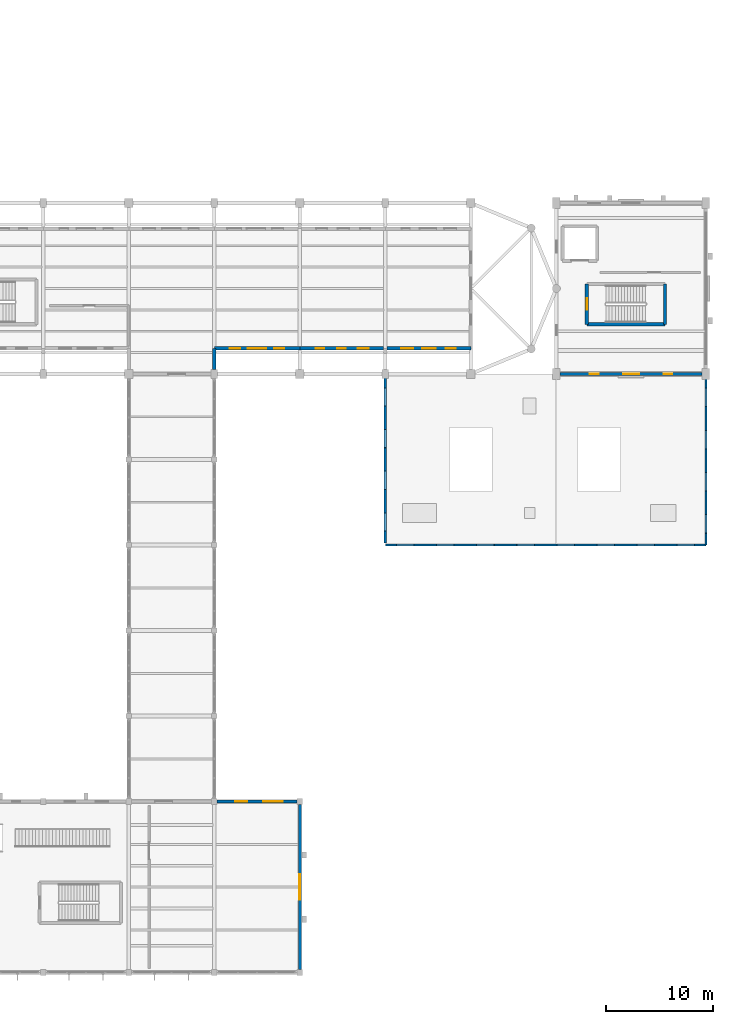
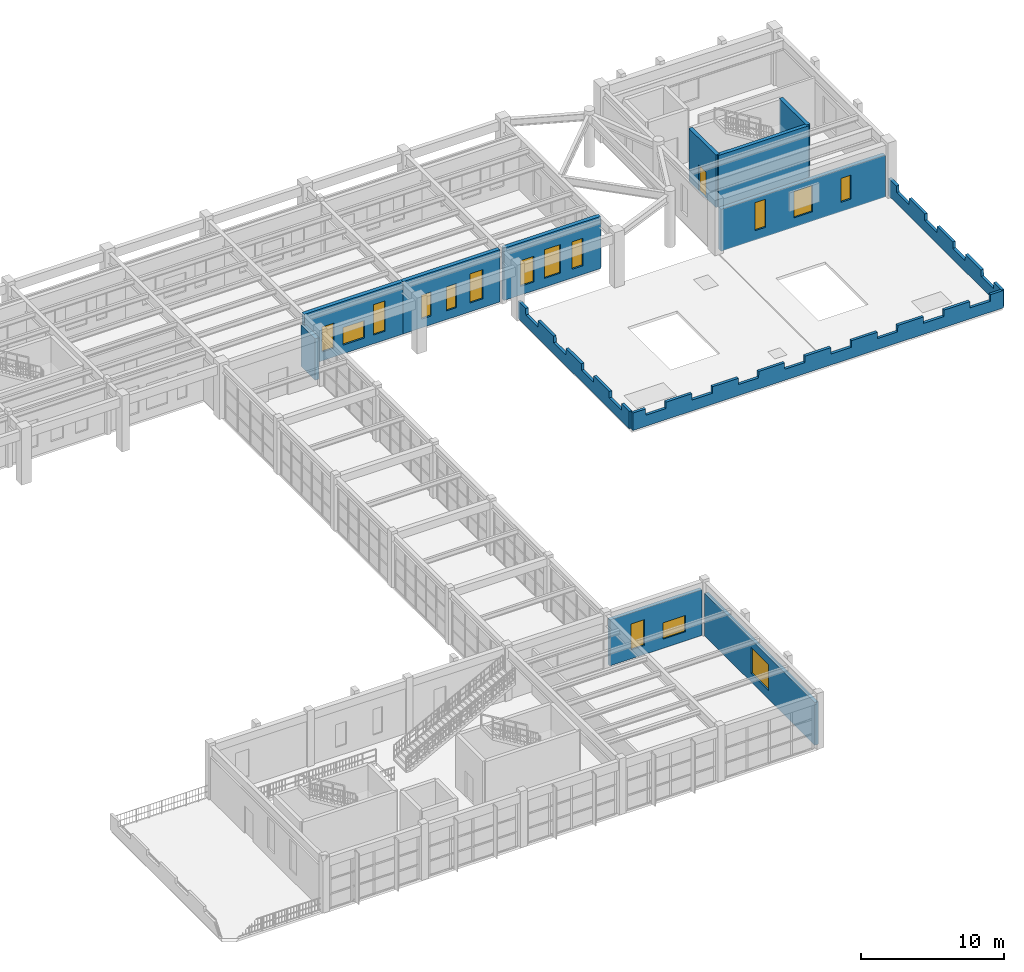
# One storey, part 46 of 59: 15 windows, 13 walls, 1 door, 16 openings.
"""IFC4 building model written with IfcOpenShell, lengths in metres."""

from ifc_helpers import new_model, si_unit, direction, frame, frame_2d, origin, place, context, subcontext, project, spatial, polyline, rectangle, outline, extrude, material, layer, layer_set, type_object, element, fill, save


model = new_model("IFC4")

# Units and contexts
model_context = context("Model", 3, precision=1e-05, world=origin(), true_north=direction((0.0, 1.0)))
body_context = subcontext(model_context, "Body", "Model", "MODEL_VIEW")
ifc_project = project(units=[si_unit("LENGTHUNIT", "METRE"), si_unit("AREAUNIT", "SQUARE_METRE"), si_unit("VOLUMEUNIT", "CUBIC_METRE"), si_unit("PLANEANGLEUNIT", "RADIAN"), si_unit("MASSUNIT", "GRAM", prefix="KILO")], contexts=[model_context])

# Site, building, storey
site_placement = place(None, origin())
site = spatial("IfcSite", under=ifc_project, at=site_placement, CompositionType="ELEMENT")
building_placement = place(site_placement, origin())
building = spatial("IfcBuilding", under=site, at=building_placement, Name="Serraluz Foothill Cableway Terminal", CompositionType="ELEMENT")
storey_placement = place(building_placement, frame((0.0, 0.0, 4.800048828125)))
storey = spatial("IfcBuildingStorey", under=building, at=storey_placement, Name="L01", CompositionType="ELEMENT", Elevation=4.800048828125)

# Wall, openings, windows
ifc_material_1 = material(Name="Fired clay masonry brick (f'm 12 MPa)", Category="masonry")
ifc_layer_1 = layer(ifc_material_1, 0.280029296875, Name="Fired clay masonry brick (f'm 12 MPa)", Category="masonry")
ifc_layer_set_1 = layer_set([ifc_layer_1], Name="Fired clay masonry brick (f'm 12 MPa)")
wall_type_1 = type_object("IfcWallType", Name="TYP-WL-EXT-280", PredefinedType="STANDARD", material=ifc_layer_set_1)
wall_1_placement = place(storey_placement, frame((128.27490234375, 16.0, 0.0), z_axis=(0.0, 0.0, 1.0), x_axis=(1.0, 0.0, 0.0)))
wall_1 = element("IfcWall", 1, at=wall_1_placement, inside=storey, type_object=wall_type_1, Name="Exterior Masonry Wall EW-V3N-L01-128", PredefinedType="STANDARD", context=body_context, shape_type="SweptSolid", body=[
    extrude(rectangle(XDim=7.4501953125, YDim=0.280029296875, at=frame_2d((3.72509765625, 0.0))), origin(), (0.0, 0.0, 1.0), 3.929931640625),
])
opening_1_placement = place(wall_1_placement, frame((1.68505859375, 0.0, 0.780029296875)))
opening_1 = element("IfcOpeningElement", 2, at=opening_1_placement, cuts=wall_1, Name="Opening W-04", PredefinedType="OPENING", context=body_context, shape_type="SweptSolid", body=[
    extrude(rectangle(XDim=1.10009765625, YDim=2.199951171875, at=frame_2d((0.550048828125, 1.10009765625))), frame((0.0, 0.14990234375, 0.0), z_axis=(0.0, -1.0, 0.0), x_axis=(1.0, 0.0, 0.0)), (0.0, 0.0, 1.0), 0.300048828125),
])
opening_2_placement = place(wall_1_placement, frame((4.31494140625, 0.0, 0.780029296875)))
opening_2 = element("IfcOpeningElement", 3, at=opening_2_placement, cuts=wall_1, Name="Opening W-09", PredefinedType="OPENING", context=body_context, shape_type="SweptSolid", body=[
    extrude(rectangle(XDim=1.800048828125, YDim=1.39990234375, at=frame_2d((0.89990234375, 0.699951171875))), frame((0.0, 0.14990234375, 0.0), z_axis=(0.0, -1.0, 0.0), x_axis=(1.0, 0.0, 0.0)), (0.0, 0.0, 1.0), 0.300048828125),
])
ifc_material_2 = material(Name="Laminated low-E safety glass", Category="glass")
window_type_1 = type_object("IfcWindowType", Name="TYP-WN-110X220", PartitioningType="SINGLE_PANEL", PredefinedType="WINDOW", material=ifc_material_2)
window_1_placement = place(opening_1_placement, origin())
window_1 = element("IfcWindow", 4, at=window_1_placement, inside=storey, type_object=window_type_1, Name="Exterior Window EW-V3N-L01-128-WN1", OverallHeight=2.199951171875, OverallWidth=1.10009765625, PartitioningType="SINGLE_PANEL", PredefinedType="WINDOW", context=body_context, shape_type="SweptSolid", body=[
    extrude(rectangle(XDim=1.10009765625, YDim=2.199951171875, at=frame_2d((0.550048828125, 1.10009765625))), frame((0.0, 0.030029296875, 0.0), z_axis=(0.0, -1.0, 0.0), x_axis=(1.0, 0.0, 0.0)), (0.0, 0.0, 1.0), 0.06005859375),
])
fill(opening_1, window_1)
window_type_2 = type_object("IfcWindowType", Name="TYP-WN-180X140", PartitioningType="DOUBLE_PANEL_VERTICAL", PredefinedType="WINDOW", material=ifc_material_2)
window_2_placement = place(opening_2_placement, origin())
window_2 = element("IfcWindow", 5, at=window_2_placement, inside=storey, type_object=window_type_2, Name="Exterior Window EW-V3N-L01-128-WN2", OverallHeight=1.39990234375, OverallWidth=1.800048828125, PartitioningType="SINGLE_PANEL", PredefinedType="WINDOW", context=body_context, shape_type="SweptSolid", body=[
    extrude(rectangle(XDim=1.800048828125, YDim=1.39990234375, at=frame_2d((0.89990234375, 0.699951171875))), frame((0.0, 0.030029296875, 0.0), z_axis=(0.0, -1.0, 0.0), x_axis=(1.0, 0.0, 0.0)), (0.0, 0.0, 1.0), 0.06005859375),
])
fill(opening_2, window_2)

# Wall, opening, window
wall_2_placement = place(storey_placement, frame((136.0, 15.72509765625, 0.0), z_axis=(0.0, 0.0, 1.0), x_axis=(0.0, -1.0, 0.0)))
wall_2 = element("IfcWall", 6, at=wall_2_placement, inside=storey, type_object=wall_type_1, Name="Exterior Masonry Wall EW-V3E-L01", PredefinedType="STANDARD", context=body_context, shape_type="SweptSolid", body=[
    extrude(rectangle(XDim=15.4501953125, YDim=0.280029296875, at=frame_2d((7.72509765625, 0.0))), origin(), (0.0, 0.0, 1.0), 3.65283203125),
])
opening_3_placement = place(wall_2_placement, frame((6.52490234375, 0.0, 0.75)))
opening_3 = element("IfcOpeningElement", 7, at=opening_3_placement, cuts=wall_2, Name="Opening W-14", PredefinedType="OPENING", context=body_context, shape_type="SweptSolid", body=[
    extrude(rectangle(XDim=2.39990234375, YDim=2.199951171875, at=frame_2d((1.199951171875, 1.10009765625))), frame((0.0, 0.14990234375, 0.0), z_axis=(0.0, -1.0, 0.0), x_axis=(1.0, 0.0, 0.0)), (0.0, 0.0, 1.0), 0.300048828125),
])
window_type_3 = type_object("IfcWindowType", Name="TYP-WN-240X220", PartitioningType="TRIPLE_PANEL_VERTICAL", PredefinedType="WINDOW", material=ifc_material_2)
window_3_placement = place(opening_3_placement, origin())
window_3 = element("IfcWindow", 8, at=window_3_placement, inside=storey, type_object=window_type_3, Name="Exterior Window EW-V3E-L01-WN2", OverallHeight=2.199951171875, OverallWidth=2.39990234375, PartitioningType="SINGLE_PANEL", PredefinedType="WINDOW", context=body_context, shape_type="SweptSolid", body=[
    extrude(rectangle(XDim=2.39990234375, YDim=2.199951171875, at=frame_2d((1.199951171875, 1.10009765625))), frame((0.0, 0.030029296875, 0.0), z_axis=(0.0, -1.0, 0.0), x_axis=(1.0, 0.0, 0.0)), (0.0, 0.0, 1.0), 0.06005859375),
])
fill(opening_3, window_3)

# Wall
ifc_material_3 = material(Name="Dark clinker clay masonry brick (f'm 14 MPa)", Category="masonry")
ifc_layer_2 = layer(ifc_material_3, 0.320068359375, Name="Dark clinker clay masonry brick (f'm 14 MPa)", Category="masonry")
ifc_layer_set_2 = layer_set([ifc_layer_2], Name="Dark clinker clay masonry brick (f'm 14 MPa)")
wall_type_2 = type_object("IfcWallType", Name="TYP-WL-EXT-320", PredefinedType="STANDARD", material=ifc_layer_set_2)
wall_3_placement = place(storey_placement, frame((128.0, 58.39990234375, 0.0), z_axis=(0.0, 0.0, 1.0), x_axis=(0.0, -1.0, 0.0)))
element("IfcWall", 9, at=wall_3_placement, inside=storey, type_object=wall_type_2, Name="Exterior Masonry Wall EW-V1S-CLE-L01", PredefinedType="STANDARD", context=body_context, shape_type="SweptSolid", body=[
    extrude(rectangle(XDim=1.974853515625, YDim=0.320068359375, at=frame_2d((0.9873046875, 0.0))), origin(), (0.0, 0.0, 1.0), 3.5478515625),
])

# Wall, openings, windows
wall_4_placement = place(storey_placement, frame((136.0, 58.39990234375, 0.0), z_axis=(0.0, 0.0, 1.0), x_axis=(-1.0, 0.0, 0.0)))
wall_4 = element("IfcWall", 10, at=wall_4_placement, inside=storey, type_object=wall_type_2, Name="Exterior Masonry Wall EW-V1S-L01-128", PredefinedType="STANDARD", context=body_context, shape_type="SweptSolid", body=[
    extrude(rectangle(XDim=8.0, YDim=0.320068359375, at=frame_2d((4.0, 0.0))), origin(), (0.0, 0.0, 1.0), 4.474853515625),
])
opening_4_placement = place(wall_4_placement, frame((1.445068359375, 0.0, 0.75)))
opening_4 = element("IfcOpeningElement", 11, at=opening_4_placement, cuts=wall_4, Name="Opening W-03", PredefinedType="OPENING", context=body_context, shape_type="SweptSolid", body=[
    extrude(rectangle(XDim=0.949951171875, YDim=2.60009765625, at=frame_2d((0.47509765625, 1.300048828125))), frame((0.0, 0.169921875, 0.0), z_axis=(0.0, -1.0, 0.0), x_axis=(1.0, 0.0, 0.0)), (0.0, 0.0, 1.0), 0.340087890625),
])
opening_5_placement = place(wall_4_placement, frame((3.1201171875, 0.0, 0.75)))
opening_5 = element("IfcOpeningElement", 12, at=opening_5_placement, cuts=wall_4, Name="Opening W-33", PredefinedType="OPENING", context=body_context, shape_type="SweptSolid", body=[
    extrude(rectangle(XDim=1.760009765625, YDim=1.5, at=frame_2d((0.8798828125, 0.75))), frame((0.0, 0.169921875, 0.0), z_axis=(0.0, -1.0, 0.0), x_axis=(1.0, 0.0, 0.0)), (0.0, 0.0, 1.0), 0.340087890625),
])
opening_6_placement = place(wall_4_placement, frame((5.590087890625, 0.0, 0.75)))
opening_6 = element("IfcOpeningElement", 13, at=opening_6_placement, cuts=wall_4, Name="Opening W-49", PredefinedType="OPENING", context=body_context, shape_type="SweptSolid", body=[
    extrude(rectangle(XDim=0.97998046875, YDim=2.14990234375, at=frame_2d((0.489990234375, 1.074951171875))), frame((0.0, 0.169921875, 0.0), z_axis=(0.0, -1.0, 0.0), x_axis=(1.0, 0.0, 0.0)), (0.0, 0.0, 1.0), 0.340087890625),
])
window_type_4 = type_object("IfcWindowType", Name="TYP-WN-095X260", PartitioningType="SINGLE_PANEL", PredefinedType="WINDOW", material=ifc_material_2)
window_4_placement = place(opening_4_placement, origin())
window_4 = element("IfcWindow", 14, at=window_4_placement, inside=storey, type_object=window_type_4, Name="Exterior Window EW-V1S-L01-128-WN1", OverallHeight=2.60009765625, OverallWidth=0.949951171875, PartitioningType="SINGLE_PANEL", PredefinedType="WINDOW", context=body_context, shape_type="SweptSolid", body=[
    extrude(rectangle(XDim=0.949951171875, YDim=2.60009765625, at=frame_2d((0.47509765625, 1.300048828125))), frame((0.0, 0.030029296875, 0.0), z_axis=(0.0, -1.0, 0.0), x_axis=(1.0, 0.0, 0.0)), (0.0, 0.0, 1.0), 0.06005859375),
])
fill(opening_4, window_4)
window_type_5 = type_object("IfcWindowType", Name="TYP-WN-098X215", PartitioningType="SINGLE_PANEL", PredefinedType="WINDOW", material=ifc_material_2)
window_5_placement = place(opening_6_placement, origin())
window_5 = element("IfcWindow", 15, at=window_5_placement, inside=storey, type_object=window_type_5, Name="Exterior Window EW-V1S-L01-128-WN3", OverallHeight=2.14990234375, OverallWidth=0.97998046875, PartitioningType="SINGLE_PANEL", PredefinedType="WINDOW", context=body_context, shape_type="SweptSolid", body=[
    extrude(rectangle(XDim=0.97998046875, YDim=2.14990234375, at=frame_2d((0.489990234375, 1.074951171875))), frame((0.0, 0.030029296875, 0.0), z_axis=(0.0, -1.0, 0.0), x_axis=(1.0, 0.0, 0.0)), (0.0, 0.0, 1.0), 0.06005859375),
])
fill(opening_6, window_5)
window_type_6 = type_object("IfcWindowType", Name="TYP-WN-345X150", PartitioningType="TRIPLE_PANEL_VERTICAL", PredefinedType="WINDOW", material=ifc_material_2)
window_6_placement = place(opening_5_placement, origin())
window_6 = element("IfcWindow", 16, at=window_6_placement, inside=storey, type_object=window_type_6, Name="Exterior Window EW-V1S-L01-128-WN2", OverallHeight=1.5, OverallWidth=1.760009765625, PartitioningType="SINGLE_PANEL", PredefinedType="WINDOW", context=body_context, shape_type="SweptSolid", body=[
    extrude(rectangle(XDim=1.760009765625, YDim=1.5, at=frame_2d((0.8798828125, 0.75))), frame((0.0, 0.030029296875, 0.0), z_axis=(0.0, -1.0, 0.0), x_axis=(1.0, 0.0, 0.0)), (0.0, 0.0, 1.0), 0.06005859375),
])
fill(opening_5, window_6)

wall_5_placement = place(storey_placement, frame((143.824951171875, 58.39990234375, 0.0), z_axis=(0.0, 0.0, 1.0), x_axis=(-1.0, 0.0, 0.0)))
wall_5 = element("IfcWall", 17, at=wall_5_placement, inside=storey, type_object=wall_type_2, Name="Exterior Masonry Wall EW-V1S-L01-136", PredefinedType="STANDARD", context=body_context, shape_type="SweptSolid", body=[
    extrude(rectangle(XDim=7.824951171875, YDim=0.320068359375, at=frame_2d((3.91259765625, 0.0))), origin(), (0.0, 0.0, 1.0), 4.474853515625),
])
opening_7_placement = place(wall_5_placement, frame((1.35302734375, 0.0, 0.75)))
opening_7 = element("IfcOpeningElement", 18, at=opening_7_placement, cuts=wall_5, Name="Opening W-38", PredefinedType="OPENING", context=body_context, shape_type="SweptSolid", body=[
    extrude(rectangle(XDim=1.050048828125, YDim=2.5, at=frame_2d((0.52490234375, 1.25))), frame((0.0, 0.169921875, 0.0), z_axis=(0.0, -1.0, 0.0), x_axis=(1.0, 0.0, 0.0)), (0.0, 0.0, 1.0), 0.340087890625),
])
opening_8_placement = place(wall_5_placement, frame((3.512451171875, 0.0, 0.75)))
opening_8 = element("IfcOpeningElement", 19, at=opening_8_placement, cuts=wall_5, Name="Opening W-36", PredefinedType="OPENING", context=body_context, shape_type="SweptSolid", body=[
    extrude(rectangle(XDim=0.800048828125, YDim=2.050048828125, at=frame_2d((0.39990234375, 1.02490234375))), frame((0.0, 0.169921875, 0.0), z_axis=(0.0, -1.0, 0.0), x_axis=(1.0, 0.0, 0.0)), (0.0, 0.0, 1.0), 0.340087890625),
])
opening_9_placement = place(wall_5_placement, frame((5.547119140625, 0.0, 0.75)))
opening_9 = element("IfcOpeningElement", 20, at=opening_9_placement, cuts=wall_5, Name="Opening W-36", PredefinedType="OPENING", context=body_context, shape_type="SweptSolid", body=[
    extrude(rectangle(XDim=0.800048828125, YDim=2.050048828125, at=frame_2d((0.39990234375, 1.02490234375))), frame((0.0, 0.169921875, 0.0), z_axis=(0.0, -1.0, 0.0), x_axis=(1.0, 0.0, 0.0)), (0.0, 0.0, 1.0), 0.340087890625),
])
window_type_7 = type_object("IfcWindowType", Name="TYP-WN-080X205", PartitioningType="SINGLE_PANEL", PredefinedType="WINDOW", material=ifc_material_2)
window_7_placement = place(opening_8_placement, origin())
window_7 = element("IfcWindow", 21, at=window_7_placement, inside=storey, type_object=window_type_7, Name="Exterior Window EW-V1S-L01-136-WN2", OverallHeight=2.050048828125, OverallWidth=0.800048828125, PartitioningType="SINGLE_PANEL", PredefinedType="WINDOW", context=body_context, shape_type="SweptSolid", body=[
    extrude(rectangle(XDim=0.800048828125, YDim=2.050048828125, at=frame_2d((0.39990234375, 1.02490234375))), frame((0.0, 0.030029296875, 0.0), z_axis=(0.0, -1.0, 0.0), x_axis=(1.0, 0.0, 0.0)), (0.0, 0.0, 1.0), 0.06005859375),
])
fill(opening_8, window_7)
window_8_placement = place(opening_9_placement, origin())
window_8 = element("IfcWindow", 22, at=window_8_placement, inside=storey, type_object=window_type_7, Name="Exterior Window EW-V1S-L01-136-WN3", OverallHeight=2.050048828125, OverallWidth=0.800048828125, PartitioningType="SINGLE_PANEL", PredefinedType="WINDOW", context=body_context, shape_type="SweptSolid", body=[
    extrude(rectangle(XDim=0.800048828125, YDim=2.050048828125, at=frame_2d((0.39990234375, 1.02490234375))), frame((0.0, 0.030029296875, 0.0), z_axis=(0.0, -1.0, 0.0), x_axis=(1.0, 0.0, 0.0)), (0.0, 0.0, 1.0), 0.06005859375),
])
fill(opening_9, window_8)
window_type_8 = type_object("IfcWindowType", Name="TYP-WN-105X250", PartitioningType="SINGLE_PANEL", PredefinedType="WINDOW", material=ifc_material_2)
window_9_placement = place(opening_7_placement, origin())
window_9 = element("IfcWindow", 23, at=window_9_placement, inside=storey, type_object=window_type_8, Name="Exterior Window EW-V1S-L01-136-WN1", OverallHeight=2.5, OverallWidth=1.050048828125, PartitioningType="SINGLE_PANEL", PredefinedType="WINDOW", context=body_context, shape_type="SweptSolid", body=[
    extrude(rectangle(XDim=1.050048828125, YDim=2.5, at=frame_2d((0.52490234375, 1.25))), frame((0.0, 0.030029296875, 0.0), z_axis=(0.0, -1.0, 0.0), x_axis=(1.0, 0.0, 0.0)), (0.0, 0.0, 1.0), 0.06005859375),
])
fill(opening_7, window_9)

wall_6_placement = place(storey_placement, frame((152.0, 58.39990234375, 0.0), z_axis=(0.0, 0.0, 1.0), x_axis=(-1.0, 0.0, 0.0)))
wall_6 = element("IfcWall", 24, at=wall_6_placement, inside=storey, type_object=wall_type_2, Name="Exterior Masonry Wall EW-V1S-L01-144", PredefinedType="STANDARD", context=body_context, shape_type="SweptSolid", body=[
    extrude(rectangle(XDim=7.824951171875, YDim=0.320068359375, at=frame_2d((3.91259765625, 0.0))), origin(), (0.0, 0.0, 1.0), 4.474853515625),
])
opening_10_placement = place(wall_6_placement, frame((1.427978515625, 0.0, 0.75)))
opening_10 = element("IfcOpeningElement", 25, at=opening_10_placement, cuts=wall_6, Name="Opening W-37", PredefinedType="OPENING", context=body_context, shape_type="SweptSolid", body=[
    extrude(rectangle(XDim=0.89990234375, YDim=2.35009765625, at=frame_2d((0.449951171875, 1.175048828125))), frame((0.0, 0.169921875, 0.0), z_axis=(0.0, -1.0, 0.0), x_axis=(1.0, 0.0, 0.0)), (0.0, 0.0, 1.0), 0.340087890625),
])
opening_11_placement = place(wall_6_placement, frame((3.262451171875, 0.0, 0.75)))
opening_11 = element("IfcOpeningElement", 26, at=opening_11_placement, cuts=wall_6, Name="Opening W-40", PredefinedType="OPENING", context=body_context, shape_type="SweptSolid", body=[
    extrude(rectangle(XDim=1.300048828125, YDim=2.449951171875, at=frame_2d((0.64990234375, 1.22509765625))), frame((0.0, 0.169921875, 0.0), z_axis=(0.0, -1.0, 0.0), x_axis=(1.0, 0.0, 0.0)), (0.0, 0.0, 1.0), 0.340087890625),
])
opening_12_placement = place(wall_6_placement, frame((5.39697265625, 0.0, 0.75)))
opening_12 = element("IfcOpeningElement", 27, at=opening_12_placement, cuts=wall_6, Name="Opening W-04", PredefinedType="OPENING", context=body_context, shape_type="SweptSolid", body=[
    extrude(rectangle(XDim=1.10009765625, YDim=2.199951171875, at=frame_2d((0.550048828125, 1.10009765625))), frame((0.0, 0.169921875, 0.0), z_axis=(0.0, -1.0, 0.0), x_axis=(1.0, 0.0, 0.0)), (0.0, 0.0, 1.0), 0.340087890625),
])
window_type_9 = type_object("IfcWindowType", Name="TYP-WN-090X235", PartitioningType="SINGLE_PANEL", PredefinedType="WINDOW", material=ifc_material_2)
window_10_placement = place(opening_10_placement, origin())
window_10 = element("IfcWindow", 28, at=window_10_placement, inside=storey, type_object=window_type_9, Name="Exterior Window EW-V1S-L01-144-WN1", OverallHeight=2.35009765625, OverallWidth=0.89990234375, PartitioningType="SINGLE_PANEL", PredefinedType="WINDOW", context=body_context, shape_type="SweptSolid", body=[
    extrude(rectangle(XDim=0.89990234375, YDim=2.35009765625, at=frame_2d((0.449951171875, 1.175048828125))), frame((0.0, 0.030029296875, 0.0), z_axis=(0.0, -1.0, 0.0), x_axis=(1.0, 0.0, 0.0)), (0.0, 0.0, 1.0), 0.06005859375),
])
fill(opening_10, window_10)
window_11_placement = place(opening_12_placement, origin())
window_11 = element("IfcWindow", 29, at=window_11_placement, inside=storey, type_object=window_type_1, Name="Exterior Window EW-V1S-L01-144-WN3", OverallHeight=2.199951171875, OverallWidth=1.10009765625, PartitioningType="SINGLE_PANEL", PredefinedType="WINDOW", context=body_context, shape_type="SweptSolid", body=[
    extrude(rectangle(XDim=1.10009765625, YDim=2.199951171875, at=frame_2d((0.550048828125, 1.10009765625))), frame((0.0, 0.030029296875, 0.0), z_axis=(0.0, -1.0, 0.0), x_axis=(1.0, 0.0, 0.0)), (0.0, 0.0, 1.0), 0.06005859375),
])
fill(opening_12, window_11)
window_type_10 = type_object("IfcWindowType", Name="TYP-WN-130X245", PartitioningType="DOUBLE_PANEL_VERTICAL", PredefinedType="WINDOW", material=ifc_material_2)
window_12_placement = place(opening_11_placement, origin())
window_12 = element("IfcWindow", 30, at=window_12_placement, inside=storey, type_object=window_type_10, Name="Exterior Window EW-V1S-L01-144-WN2", OverallHeight=2.449951171875, OverallWidth=1.300048828125, PartitioningType="SINGLE_PANEL", PredefinedType="WINDOW", context=body_context, shape_type="SweptSolid", body=[
    extrude(rectangle(XDim=1.300048828125, YDim=2.449951171875, at=frame_2d((0.64990234375, 1.22509765625))), frame((0.0, 0.030029296875, 0.0), z_axis=(0.0, -1.0, 0.0), x_axis=(1.0, 0.0, 0.0)), (0.0, 0.0, 1.0), 0.06005859375),
])
fill(opening_11, window_12)

wall_7_placement = place(storey_placement, frame((173.64990234375, 56.0, 0.0), z_axis=(0.0, 0.0, 1.0), x_axis=(-1.0, 0.0, 0.0)))
wall_7 = element("IfcWall", 31, at=wall_7_placement, inside=storey, type_object=wall_type_2, Name="Exterior Masonry Wall EW-V2-L01-09", PredefinedType="STANDARD", context=body_context, shape_type="SweptSolid", body=[
    extrude(rectangle(XDim=13.2998046875, YDim=0.320068359375, at=frame_2d((6.64990234375, 0.0))), origin(), (0.0, 0.0, 1.0), 3.599853515625),
])
opening_13_placement = place(wall_7_placement, frame((2.7919921875, 0.0, 0.800048828125)))
opening_13 = element("IfcOpeningElement", 32, at=opening_13_placement, cuts=wall_7, Name="Opening W-36", PredefinedType="OPENING", context=body_context, shape_type="SweptSolid", body=[
    extrude(rectangle(XDim=0.800048828125, YDim=2.050048828125, at=frame_2d((0.39990234375, 1.02490234375))), frame((0.0, 0.169921875, 0.0), z_axis=(0.0, -1.0, 0.0), x_axis=(1.0, 0.0, 0.0)), (0.0, 0.0, 1.0), 0.340087890625),
])
opening_14_placement = place(wall_7_placement, frame((5.909912109375, 0.0, 0.800048828125)))
opening_14 = element("IfcOpeningElement", 33, at=opening_14_placement, cuts=wall_7, Name="Opening W-53", PredefinedType="OPENING", context=body_context, shape_type="SweptSolid", body=[
    extrude(rectangle(XDim=1.47998046875, YDim=2.25, at=frame_2d((0.739990234375, 1.125))), frame((0.0, 0.169921875, 0.0), z_axis=(0.0, -1.0, 0.0), x_axis=(1.0, 0.0, 0.0)), (0.0, 0.0, 1.0), 0.340087890625),
])
opening_15_placement = place(wall_7_placement, frame((9.68310546875, 0.0, 0.800048828125)))
opening_15 = element("IfcOpeningElement", 34, at=opening_15_placement, cuts=wall_7, Name="Opening W-02", PredefinedType="OPENING", context=body_context, shape_type="SweptSolid", body=[
    extrude(rectangle(XDim=0.85009765625, YDim=2.39990234375, at=frame_2d((0.425048828125, 1.199951171875))), frame((0.0, 0.169921875, 0.0), z_axis=(0.0, -1.0, 0.0), x_axis=(1.0, 0.0, 0.0)), (0.0, 0.0, 1.0), 0.340087890625),
])
window_13_placement = place(opening_13_placement, origin())
window_13 = element("IfcWindow", 35, at=window_13_placement, inside=storey, type_object=window_type_7, Name="Exterior Window EW-V2-L01-09-WN1", OverallHeight=2.050048828125, OverallWidth=0.800048828125, PartitioningType="SINGLE_PANEL", PredefinedType="WINDOW", context=body_context, shape_type="SweptSolid", body=[
    extrude(rectangle(XDim=0.800048828125, YDim=2.050048828125, at=frame_2d((0.39990234375, 1.02490234375))), frame((0.0, 0.030029296875, 0.0), z_axis=(0.0, -1.0, 0.0), x_axis=(1.0, 0.0, 0.0)), (0.0, 0.0, 1.0), 0.06005859375),
])
fill(opening_13, window_13)
window_type_11 = type_object("IfcWindowType", Name="TYP-WN-085X240", PartitioningType="SINGLE_PANEL", PredefinedType="WINDOW", material=ifc_material_2)
window_14_placement = place(opening_15_placement, origin())
window_14 = element("IfcWindow", 36, at=window_14_placement, inside=storey, type_object=window_type_11, Name="Exterior Window EW-V2-L01-09-WN3", OverallHeight=2.39990234375, OverallWidth=0.85009765625, PartitioningType="SINGLE_PANEL", PredefinedType="WINDOW", context=body_context, shape_type="SweptSolid", body=[
    extrude(rectangle(XDim=0.85009765625, YDim=2.39990234375, at=frame_2d((0.425048828125, 1.199951171875))), frame((0.0, 0.030029296875, 0.0), z_axis=(0.0, -1.0, 0.0), x_axis=(1.0, 0.0, 0.0)), (0.0, 0.0, 1.0), 0.06005859375),
])
fill(opening_15, window_14)
window_type_12 = type_object("IfcWindowType", Name="TYP-WN-148X225", PartitioningType="DOUBLE_PANEL_VERTICAL", PredefinedType="WINDOW", material=ifc_material_2)
window_15_placement = place(opening_14_placement, origin())
window_15 = element("IfcWindow", 37, at=window_15_placement, inside=storey, type_object=window_type_12, Name="Exterior Window EW-V2-L01-09-WN2", OverallHeight=2.25, OverallWidth=1.47998046875, PartitioningType="SINGLE_PANEL", PredefinedType="WINDOW", context=body_context, shape_type="SweptSolid", body=[
    extrude(rectangle(XDim=1.47998046875, YDim=2.25, at=frame_2d((0.739990234375, 1.125))), frame((0.0, 0.030029296875, 0.0), z_axis=(0.0, -1.0, 0.0), x_axis=(1.0, 0.0, 0.0)), (0.0, 0.0, 1.0), 0.06005859375),
])
fill(opening_14, window_15)

# Walls
ifc_layer_3 = layer(ifc_material_3, 0.219970703125, Name="Dark clinker clay masonry brick (f'm 14 MPa)", Category="masonry")
ifc_layer_set_3 = layer_set([ifc_layer_3], Name="Dark clinker clay masonry brick (f'm 14 MPa)")
wall_type_3 = type_object("IfcWallType", Name="TYP-WL-PAR-220", PredefinedType="PARAPET", material=ifc_layer_set_3)
wall_8_placement = place(storey_placement, frame((174.0, 40.0, 0.06005859375), z_axis=(0.0, 0.0, 1.0), x_axis=(-1.0, 0.0, 0.0)))
element("IfcWall", 38, at=wall_8_placement, inside=storey, type_object=wall_type_3, Name="Stepped Brick Parapet Wall WP-V2S-1", PredefinedType="PARAPET", context=body_context, shape_type="SweptSolid", body=[
    extrude(outline(polyline([(0.0, 0.0), (30.0, 0.0), (30.0, 1.489990234375), (28.9599609375, 1.489990234375), (28.949951171875, 0.93994140625), (27.31005859375, 0.93994140625), (27.300048828125, 1.489990234375), (26.25, 1.489990234375), (26.239990234375, 1.489990234375), (25.2099609375, 1.489990234375), (25.199951171875, 0.93994140625), (23.56005859375, 0.93994140625), (23.550048828125, 1.489990234375), (22.5, 1.489990234375), (22.489990234375, 1.489990234375), (21.4599609375, 1.489990234375), (21.449951171875, 0.93994140625), (19.81005859375, 0.93994140625), (19.800048828125, 1.489990234375), (18.75, 1.489990234375), (18.739990234375, 1.489990234375), (17.7099609375, 1.489990234375), (17.699951171875, 0.93994140625), (16.06005859375, 0.93994140625), (16.050048828125, 1.489990234375), (15.0, 1.489990234375), (14.989990234375, 1.489990234375), (13.9599609375, 1.489990234375), (13.949951171875, 0.93994140625), (12.31005859375, 0.93994140625), (12.300048828125, 1.489990234375), (11.25, 1.489990234375), (11.239990234375, 1.489990234375), (10.2099609375, 1.489990234375), (10.199951171875, 0.93994140625), (8.56005859375, 0.93994140625), (8.550048828125, 1.489990234375), (7.5, 1.489990234375), (7.489990234375, 1.489990234375), (6.4599609375, 1.489990234375), (6.449951171875, 0.93994140625), (4.81005859375, 0.93994140625), (4.800048828125, 1.489990234375), (3.75, 1.489990234375), (3.739990234375, 1.489990234375), (2.7099609375, 1.489990234375), (2.699951171875, 0.93994140625), (1.06005859375, 0.93994140625), (1.050048828125, 1.489990234375), (0.0, 1.489990234375), (0.0, 0.0)])), frame((0.0, 0.10986328125, 0.0), z_axis=(0.0, -1.0, 0.0), x_axis=(1.0, 0.0, 0.0)), (0.0, 0.0, 1.0), 0.219970703125),
])
wall_9_placement = place(storey_placement, frame((174.0, 55.800048828125, 0.06005859375), z_axis=(0.0, 0.0, 1.0), x_axis=(0.0, -1.0, 0.0)))
element("IfcWall", 39, at=wall_9_placement, inside=storey, type_object=wall_type_3, Name="Stepped Brick Parapet Wall WP-V2S-2", PredefinedType="PARAPET", context=body_context, shape_type="SweptSolid", body=[
    extrude(outline(polyline([(0.0, 0.0), (15.800048828125, 0.0), (15.800048828125, 1.489990234375), (14.7041015625, 1.489990234375), (14.694091796875, 0.93994140625), (12.966064453125, 0.93994140625), (12.9560546875, 1.489990234375), (11.85009765625, 1.489990234375), (11.840087890625, 1.489990234375), (10.75390625, 1.489990234375), (10.743896484375, 0.93994140625), (9.01611328125, 0.93994140625), (9.006103515625, 1.489990234375), (7.89990234375, 1.489990234375), (7.889892578125, 1.489990234375), (6.803955078125, 1.489990234375), (6.7939453125, 0.93994140625), (5.06591796875, 0.93994140625), (5.055908203125, 1.489990234375), (3.949951171875, 1.489990234375), (3.93994140625, 1.489990234375), (2.85400390625, 1.489990234375), (2.843994140625, 0.93994140625), (1.115966796875, 0.93994140625), (1.10595703125, 1.489990234375), (0.0, 1.489990234375), (0.0, 0.0)])), frame((0.0, 0.10986328125, 0.0), z_axis=(0.0, -1.0, 0.0), x_axis=(1.0, 0.0, 0.0)), (0.0, 0.0, 1.0), 0.219970703125),
])
wall_10_placement = place(storey_placement, frame((144.0, 40.199951171875, 0.06005859375), z_axis=(0.0, 0.0, 1.0), x_axis=(0.0, 1.0, 0.0)))
element("IfcWall", 40, at=wall_10_placement, inside=storey, type_object=wall_type_3, Name="Stepped Brick Parapet Wall WP-V2W-1", PredefinedType="PARAPET", context=body_context, shape_type="SweptSolid", body=[
    extrude(outline(polyline([(0.0, 0.0), (15.60009765625, 0.0), (15.60009765625, 1.489990234375), (14.51806640625, 1.489990234375), (14.508056640625, 0.93994140625), (12.802001953125, 0.93994140625), (12.7919921875, 1.489990234375), (11.699951171875, 1.489990234375), (11.68994140625, 1.489990234375), (10.617919921875, 1.489990234375), (10.60791015625, 0.93994140625), (8.902099609375, 0.93994140625), (8.89208984375, 1.489990234375), (7.800048828125, 1.489990234375), (7.7900390625, 1.489990234375), (6.718017578125, 1.489990234375), (6.7080078125, 0.93994140625), (5.001953125, 0.93994140625), (4.991943359375, 1.489990234375), (3.89990234375, 1.489990234375), (3.889892578125, 1.489990234375), (2.818115234375, 1.489990234375), (2.80810546875, 0.93994140625), (1.10205078125, 0.93994140625), (1.092041015625, 1.489990234375), (0.0, 1.489990234375), (0.0, 0.0)])), frame((0.0, 0.10986328125, 0.0), z_axis=(0.0, -1.0, 0.0), x_axis=(1.0, 0.0, 0.0)), (0.0, 0.0, 1.0), 0.219970703125),
])
ifc_material_4 = material(Name="Concrete C35/45 (f'c 35 MPa)", Category="concrete")
ifc_layer_4 = layer(ifc_material_4, 0.300048828125, Name="Concrete C35/45 (f'c 35 MPa)", Category="concrete")
ifc_layer_set_4 = layer_set([ifc_layer_4], Name="Concrete C35/45 (f'c 35 MPa)")
wall_type_4 = type_object("IfcWallType", Name="TYP-WL-SHR-350", PredefinedType="SHEAR", material=ifc_layer_set_4)
wall_11_placement = place(storey_placement, frame((170.175048828125, 60.64990234375, 0.0), z_axis=(0.0, 0.0, 1.0), x_axis=(-1.0, 0.0, 0.0)))
element("IfcWall", 41, at=wall_11_placement, inside=storey, type_object=wall_type_4, Name="Stair Core Shear Wall CW-ST-05-L01-S", PredefinedType="SHEAR", context=body_context, shape_type="SweptSolid", body=[
    extrude(rectangle(XDim=7.324951171875, YDim=0.300048828125, at=frame_2d((3.66259765625, 0.0))), origin(), (0.0, 0.0, 1.0), 4.5),
])

# Wall, opening, door
wall_12_placement = place(storey_placement, frame((162.85009765625, 60.64990234375, 0.0), z_axis=(0.0, 0.0, 1.0), x_axis=(0.0, 1.0, 0.0)))
wall_12 = element("IfcWall", 42, at=wall_12_placement, inside=storey, type_object=wall_type_4, Name="Stair Core Shear Wall CW-ST-05-L01-W", PredefinedType="SHEAR", context=body_context, shape_type="SweptSolid", body=[
    extrude(rectangle(XDim=3.780029296875, YDim=0.300048828125, at=frame_2d((1.89013671875, 0.0))), origin(), (0.0, 0.0, 1.0), 4.5),
])
opening_16_placement = place(wall_12_placement, frame((1.340087890625, 0.0, 0.0)))
opening_16 = element("IfcOpeningElement", 43, at=opening_16_placement, cuts=wall_12, Name="Opening DF-07", PredefinedType="OPENING", context=body_context, shape_type="SweptSolid", body=[
    extrude(rectangle(XDim=1.10009765625, YDim=2.199951171875, at=frame_2d((0.550048828125, 1.10009765625))), frame((0.0, 0.16015625, 0.0), z_axis=(0.0, -1.0, 0.0), x_axis=(1.0, 0.0, 0.0)), (0.0, 0.0, 1.0), 0.320068359375),
])
ifc_material_5 = material(Name="Galvanized hollow-metal steel sheet", Category="steel")
door_type = type_object("IfcDoorType", Name="TYP-DR-FD60-1100", OperationType="NOTDEFINED", PredefinedType="DOOR", material=ifc_material_5)
door_placement = place(opening_16_placement, origin())
door = element("IfcDoor", 44, at=door_placement, inside=storey, type_object=door_type, Name="Exit Stair Fire Door ST-05 L01", OperationType="SINGLE_SWING_LEFT", OverallHeight=2.199951171875, OverallWidth=1.10009765625, PredefinedType="DOOR", context=body_context, shape_type="SweptSolid", body=[
    extrude(rectangle(XDim=1.10009765625, YDim=2.199951171875, at=frame_2d((0.550048828125, 1.10009765625))), frame((0.0, 0.02490234375, 0.0), z_axis=(0.0, -1.0, 0.0), x_axis=(1.0, 0.0, 0.0)), (0.0, 0.0, 1.0), 0.050048828125),
])
fill(opening_16, door)

# Wall
wall_13_placement = place(storey_placement, frame((170.175048828125, 64.429931640625, 0.0), z_axis=(0.0, 0.0, 1.0), x_axis=(0.0, -1.0, 0.0)))
element("IfcWall", 45, at=wall_13_placement, inside=storey, type_object=wall_type_4, Name="Stair Core Shear Wall CW-ST-05-L01-E", PredefinedType="SHEAR", context=body_context, shape_type="SweptSolid", body=[
    extrude(rectangle(XDim=3.780029296875, YDim=0.300048828125, at=frame_2d((1.89013671875, 0.0))), origin(), (0.0, 0.0, 1.0), 4.5),
])

save(model, "model.ifc")
